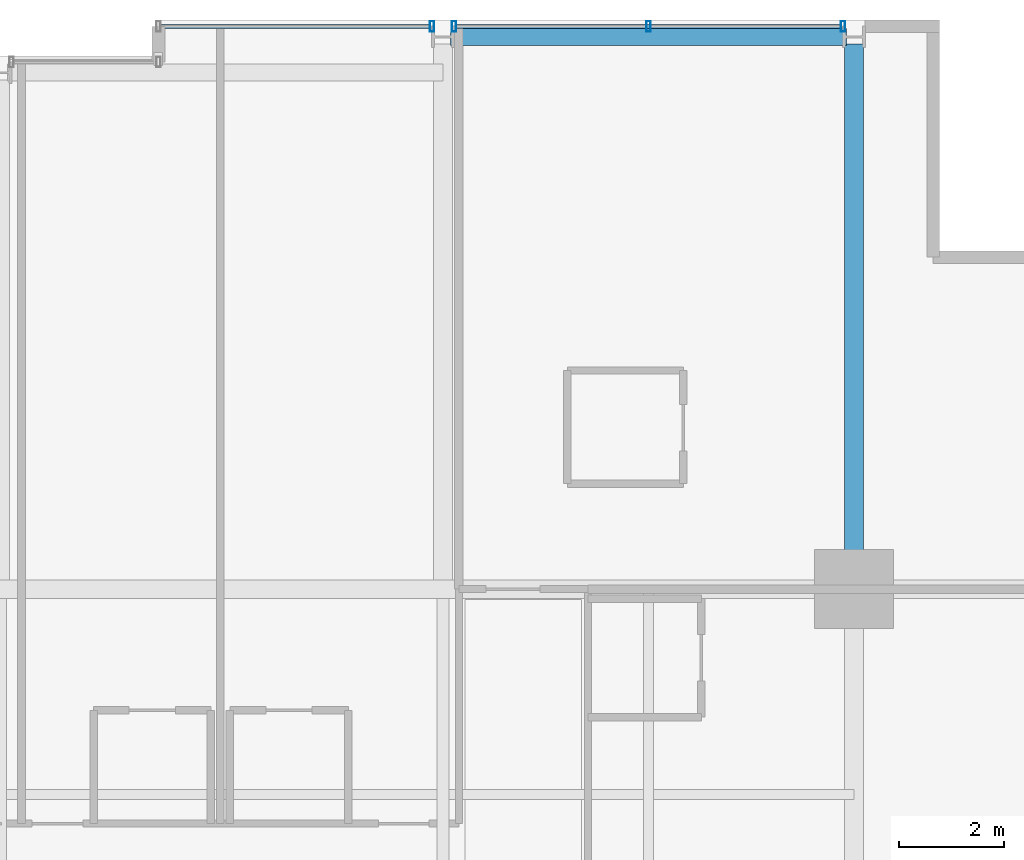
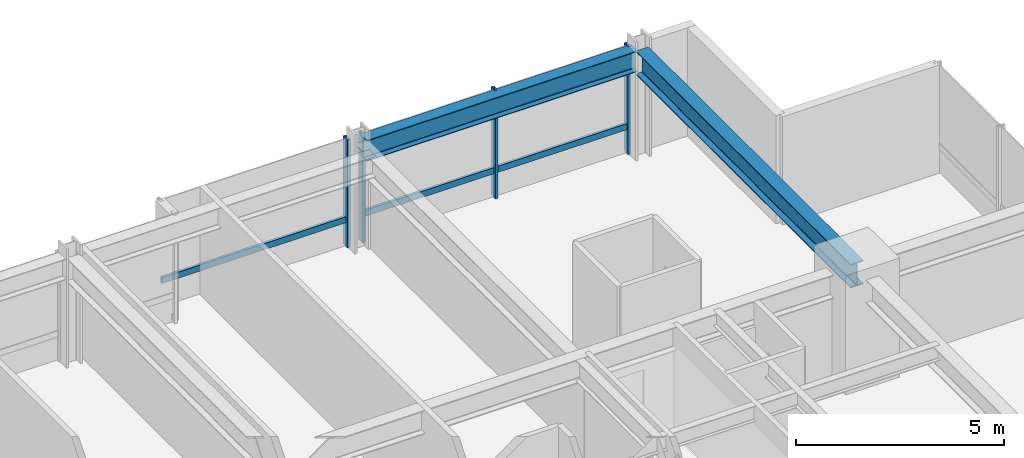
# One storey, part 25 of 35: 6 members, 2 beams, 2 elements without a shape of their own.
"""IFC4 building model written with IfcOpenShell, lengths in metres."""

from ifc_helpers import new_model, si_unit, direction, frame, origin, origin_2d, place, context, subcontext, project, spatial, hollow_rectangle, i_section, extrude, material, layer, layer_set, material_profile, profile_set, type_object, element, aggregate, save


model = new_model("IFC4")

# Units and contexts
model_context = context("Model", 3, precision=1e-05, world=origin(), true_north=direction((0.0, 1.0)))
body_context = subcontext(model_context, "Body", "Model", "MODEL_VIEW")
ifc_project = project(units=[si_unit("LENGTHUNIT", "METRE"), si_unit("AREAUNIT", "SQUARE_METRE"), si_unit("VOLUMEUNIT", "CUBIC_METRE"), si_unit("PLANEANGLEUNIT", "RADIAN"), si_unit("MASSUNIT", "GRAM", prefix="KILO")], contexts=[model_context])

# Site, building, storey
site_placement = place(None, origin())
site = spatial("IfcSite", under=ifc_project, at=site_placement, CompositionType="ELEMENT")
building_placement = place(site_placement, origin())
building = spatial("IfcBuilding", under=site, at=building_placement, Name="Drelvath Grand Hotel", CompositionType="ELEMENT")
storey_placement = place(building_placement, frame((0.0, 0.0, 137.300048828125)))
storey = spatial("IfcBuildingStorey", under=building, at=storey_placement, Name="L35", CompositionType="ELEMENT", Elevation=137.300048828125)

# Curtain wall, member
ifc_material_1 = material(Name="Champagne Bronze Anodised Aluminium Frame", Category="aluminium")
ifc_layer = layer(ifc_material_1, 0.199951171875)
ifc_layer_set = layer_set([ifc_layer], Name="Champagne Bronze Anodised Aluminium Frame")
curtain_wall_type = type_object("IfcCurtainWallType", Name="Stick Curtain Wall CW-03 Champagne Bronze Mid-Rise", PredefinedType="NOTDEFINED", material=ifc_layer_set)
curtain_wall_1_placement = place(storey_placement, origin())
curtain_wall_1 = element("IfcCurtainWall", 1, at=curtain_wall_1_placement, inside=storey, type_object=curtain_wall_type, Name="L35 CW-03 Curtain Wall CW03-L35-NE1", PredefinedType="NOTDEFINED")
ifc_material_profile_1 = material_profile(ifc_material_1, hollow_rectangle(XDim=0.074951171875, YDim=0.179931640625, WallThickness=0.0048828125, at=origin_2d()), Name="HSS180X75X5")
ifc_profile_set_1 = profile_set([ifc_material_profile_1], Name="Champagne Bronze Anodised Aluminium Frame")
member_type_1 = type_object("IfcMemberType", Name="Curtain Wall Horizontal Transom CW-03 HSS180X75X5", PredefinedType="USERDEFINED", material=ifc_profile_set_1)
member_1_placement = place(storey_placement, frame((3.0400390625, 53.8798828125, 0.794921875), z_axis=(1.0, 0.0, 0.0), x_axis=(0.0, 1.0, 0.0)))
member_1 = element("IfcMember", 2, at=member_1_placement, type_object=member_type_1, Name="CW03-L35-NE1 Sill Transom", ObjectType="TRANSOM", PredefinedType="USERDEFINED", context=body_context, shape_type="SweptSolid", body=[
    extrude(hollow_rectangle(XDim=0.074951171875, YDim=0.179931640625, WallThickness=0.0048828125, at=origin_2d()), origin(), (0.0, 0.0, 1.0), 5.110595703125),
])

curtain_wall_2_placement = place(storey_placement, origin())
curtain_wall_2 = element("IfcCurtainWall", 3, at=curtain_wall_2_placement, inside=storey, type_object=curtain_wall_type, Name="L35 CW-03 Curtain Wall CW03-L35-NE2", PredefinedType="NOTDEFINED")
member_2_placement = place(storey_placement, frame((8.6494140625, 53.8798828125, 0.794921875), z_axis=(1.0, 0.0, 0.0), x_axis=(0.0, 1.0, 0.0)))
member_2 = element("IfcMember", 4, at=member_2_placement, type_object=member_type_1, Name="CW03-L35-NE2 Sill Transom", ObjectType="TRANSOM", PredefinedType="USERDEFINED", context=body_context, shape_type="SweptSolid", body=[
    extrude(hollow_rectangle(XDim=0.074951171875, YDim=0.179931640625, WallThickness=0.0048828125, at=origin_2d()), origin(), (0.0, 0.0, 1.0), 7.30126953125),
])

# Member
ifc_material_profile_2 = material_profile(ifc_material_1, hollow_rectangle(XDim=0.080078125, YDim=0.199951171875, WallThickness=0.0048828125, at=origin_2d()), Name="HSS200X80X5")
ifc_profile_set_2 = profile_set([ifc_material_profile_2], Name="Champagne Bronze Anodised Aluminium Frame")
member_type_2 = type_object("IfcMemberType", Name="Curtain Wall Vertical Mullion CW-03 HSS200X80X5", PredefinedType="MULLION", material=ifc_profile_set_2)
member_3_placement = place(storey_placement, frame((8.190673828125, 53.8798828125, 0.0), z_axis=(0.0, 0.0, 1.0), x_axis=(1.0, 0.0, 0.0)))
member_3 = element("IfcMember", 5, at=member_3_placement, type_object=member_type_2, Name="CW03-L35-NE1 Mullion 2", PredefinedType="MULLION", context=body_context, shape_type="SweptSolid", body=[
    extrude(hollow_rectangle(XDim=0.080078125, YDim=0.199951171875, WallThickness=0.0048828125, at=origin_2d()), origin(), (0.0, 0.0, 1.0), 3.179931640625),
])

aggregate(curtain_wall_1, [member_3, member_1])

member_4_placement = place(storey_placement, frame((8.609375, 53.8798828125, 0.0), z_axis=(0.0, 0.0, 1.0), x_axis=(1.0, 0.0, 0.0)))
member_4 = element("IfcMember", 6, at=member_4_placement, type_object=member_type_2, Name="CW03-L35-NE2 Mullion 1", PredefinedType="MULLION", context=body_context, shape_type="SweptSolid", body=[
    extrude(hollow_rectangle(XDim=0.080078125, YDim=0.199951171875, WallThickness=0.0048828125, at=origin_2d()), origin(), (0.0, 0.0, 1.0), 3.179931640625),
])

member_5_placement = place(storey_placement, frame((12.300048828125, 53.8798828125, 0.0), z_axis=(0.0, 0.0, 1.0), x_axis=(1.0, 0.0, 0.0)))
member_5 = element("IfcMember", 7, at=member_5_placement, type_object=member_type_2, Name="CW03-L35-NE2 Mullion 2", PredefinedType="MULLION", context=body_context, shape_type="SweptSolid", body=[
    extrude(hollow_rectangle(XDim=0.080078125, YDim=0.199951171875, WallThickness=0.0048828125, at=origin_2d()), origin(), (0.0, 0.0, 1.0), 3.179931640625),
])

member_6_placement = place(storey_placement, frame((15.990478515625, 53.8798828125, 0.0), z_axis=(0.0, 0.0, 1.0), x_axis=(1.0, 0.0, 0.0)))
member_6 = element("IfcMember", 8, at=member_6_placement, type_object=member_type_2, Name="CW03-L35-NE2 Mullion 3", PredefinedType="MULLION", context=body_context, shape_type="SweptSolid", body=[
    extrude(hollow_rectangle(XDim=0.080078125, YDim=0.199951171875, WallThickness=0.0048828125, at=origin_2d()), origin(), (0.0, 0.0, 1.0), 3.179931640625),
])

aggregate(curtain_wall_2, [member_4, member_5, member_6, member_2])

# Beams
ifc_material_2 = material(Name="Steel ASTM A992 Gr 50", Category="steel")
ifc_material_profile_3 = material_profile(ifc_material_2, i_section(OverallWidth=0.323974609375, OverallDepth=0.611083984375, WebThickness=0.0126953125, FlangeThickness=0.01904296875, FilletRadius=0.02197265625, at=origin_2d()), Name="W24X104")
ifc_profile_set_3 = profile_set([ifc_material_profile_3], Name="Steel ASTM A992 Gr 50")
beam_type_1 = type_object("IfcBeamType", Name="Perimeter Spandrel Beam W24X104", PredefinedType="SPANDREL", material=ifc_profile_set_3)
beam_1_placement = place(storey_placement, frame((8.5400390625, 53.679931640625, 2.874267578125), z_axis=(1.0, 0.0, 0.0), x_axis=(0.0, 1.0, 0.0)))
element("IfcBeam", 9, at=beam_1_placement, inside=storey, type_object=beam_type_1, Name="L35 Spandrel North E", PredefinedType="SPANDREL", context=body_context, shape_type="SweptSolid", body=[
    extrude(i_section(OverallWidth=0.323974609375, OverallDepth=0.611083984375, WebThickness=0.0126953125, FlangeThickness=0.01904296875, FilletRadius=0.02197265625, at=origin_2d()), origin(), (0.0, 0.0, 1.0), 7.52001953125),
])
ifc_material_profile_4 = material_profile(ifc_material_2, i_section(OverallWidth=0.354736328125, OverallDepth=0.695556640625, WebThickness=0.015380859375, FlangeThickness=0.025146484375, FilletRadius=0.02392578125, at=origin_2d()), Name="W27X146")
ifc_profile_set_4 = profile_set([ifc_material_profile_4], Name="Steel ASTM A992 Gr 50")
beam_type_2 = type_object("IfcBeamType", Name="Primary Floor Girder W27X146", PredefinedType="BEAM", material=ifc_profile_set_4)
beam_2_placement = place(storey_placement, frame((16.199951171875, 43.199951171875, 2.83203125), z_axis=(0.0, 1.0, 0.0), x_axis=(-1.0, 0.0, 0.0)))
element("IfcBeam", 10, at=beam_2_placement, inside=storey, type_object=beam_type_2, Name="L35 North Grid Girder 7", PredefinedType="BEAM", context=body_context, shape_type="SweptSolid", body=[
    extrude(i_section(OverallWidth=0.354736328125, OverallDepth=0.695556640625, WebThickness=0.015380859375, FlangeThickness=0.025146484375, FilletRadius=0.02392578125, at=origin_2d()), origin(), (0.0, 0.0, 1.0), 10.340087890625),
])

save(model, "model.ifc")
